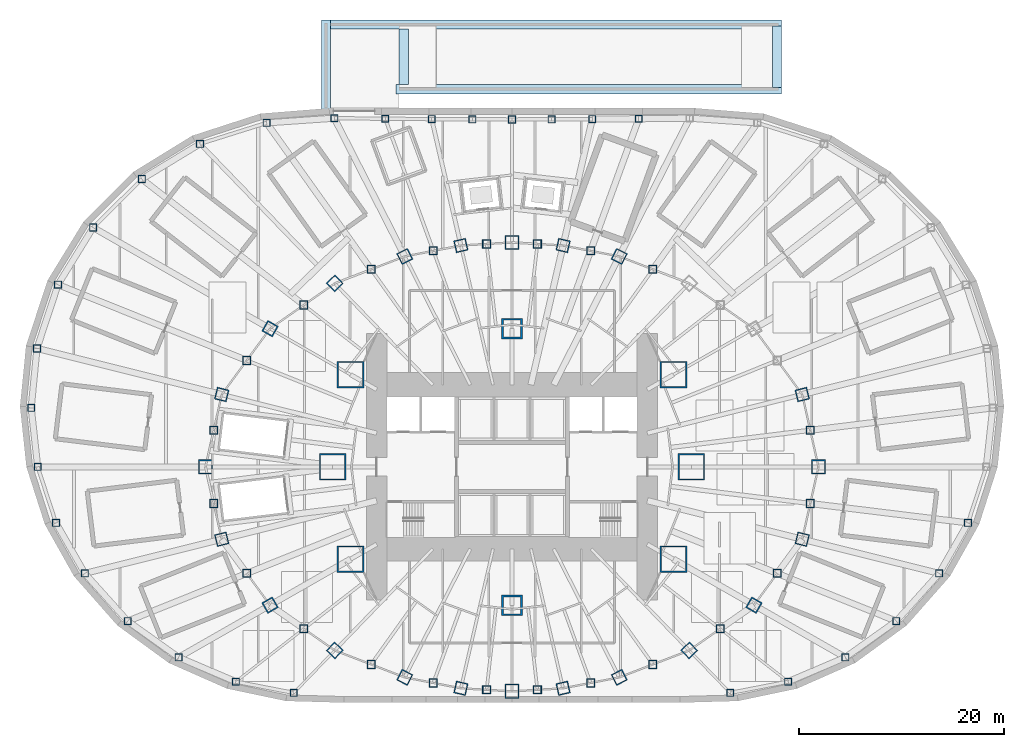
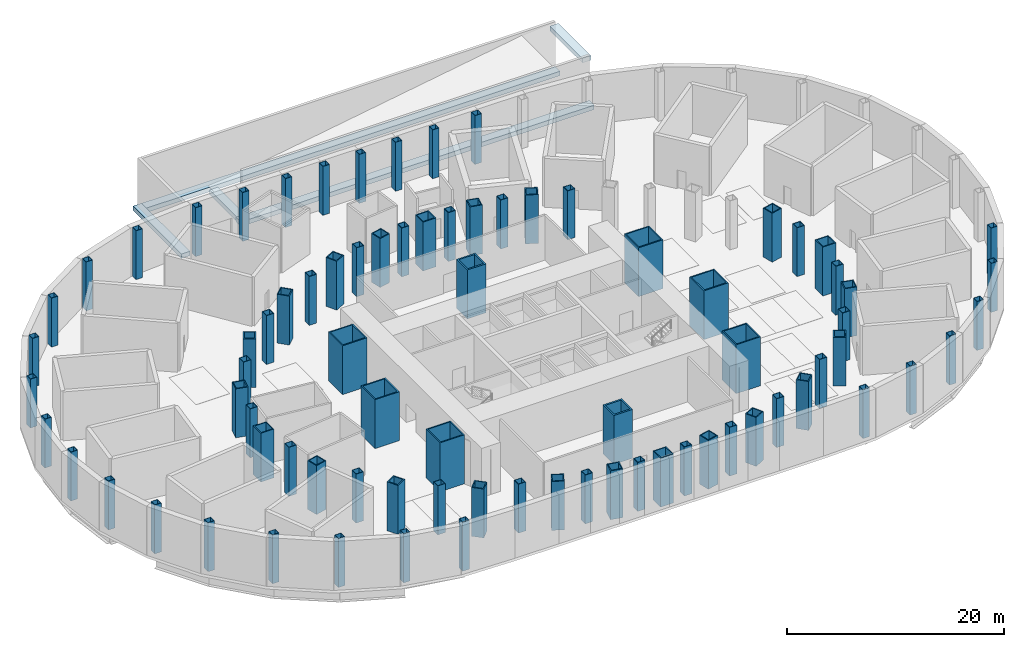
# One storey, part 1 of 19: 80 columns, 5 footings.
"""IFC4 building model written with IfcOpenShell, lengths in metres."""

from ifc_helpers import new_model, si_unit, direction, frame, origin, origin_2d, place, context, subcontext, project, spatial, polyline, rectangle, hollow_rectangle, outline, extrude, material, material_profile, profile_set, type_object, element, save


model = new_model("IFC4")

# Units and contexts
model_context = context("Model", 3, precision=1e-05, world=origin(), true_north=direction((0.0, 1.0)))
body_context = subcontext(model_context, "Body", "Model", "MODEL_VIEW")
ifc_project = project(units=[si_unit("LENGTHUNIT", "METRE"), si_unit("AREAUNIT", "SQUARE_METRE"), si_unit("VOLUMEUNIT", "CUBIC_METRE"), si_unit("PLANEANGLEUNIT", "RADIAN"), si_unit("MASSUNIT", "GRAM", prefix="KILO")], contexts=[model_context])

# Site, building, storey
site_placement = place(None, origin())
site = spatial("IfcSite", under=ifc_project, at=site_placement, CompositionType="ELEMENT")
building_placement = place(site_placement, origin())
building = spatial("IfcBuilding", under=site, at=building_placement, Name="Lantaw Convention Tower", CompositionType="ELEMENT")
storey_placement = place(building_placement, frame((0.0, 0.0, -5.5)))
storey = spatial("IfcBuildingStorey", under=building, at=storey_placement, Name="B1", CompositionType="ELEMENT", Elevation=-5.5)

# Footings
ifc_material_1 = material(Name="Concrete C40/50", Category="concrete")
footing_type = type_object("IfcFootingType", Name="Ramp wall strip footing 900x500", PredefinedType="STRIP_FOOTING", material=ifc_material_1)
footing_1_placement = place(storey_placement, frame((0.0, 0.0, -0.5)))
element("IfcFooting", 1, at=footing_1_placement, inside=storey, type_object=footing_type, Name="Ramp wall strip footing", PredefinedType="STRIP_FOOTING", context=body_context, shape_type="SweptSolid", body=[
    extrude(outline(polyline([(-11.300048828125, 37.300048828125), (-11.300048828125, 36.39990234375), (26.300048828125, 36.39990234375), (26.300048828125, 37.300048828125), (-11.300048828125, 37.300048828125)])), origin(), (0.0, 0.0, 1.0), 0.5),
])
footing_2_placement = place(storey_placement, frame((0.0, 0.0, -0.5)))
element("IfcFooting", 2, at=footing_2_placement, inside=storey, type_object=footing_type, Name="Ramp wall strip footing", PredefinedType="STRIP_FOOTING", context=body_context, shape_type="SweptSolid", body=[
    extrude(outline(polyline([(26.300048828125, 42.699951171875), (26.300048828125, 43.60009765625), (-18.449951171875, 43.60009765625), (-18.449951171875, 42.699951171875), (26.300048828125, 42.699951171875)])), origin(), (0.0, 0.0, 1.0), 0.5),
])
footing_3_placement = place(storey_placement, frame((0.0, 0.0, -0.5)))
element("IfcFooting", 3, at=footing_3_placement, inside=storey, type_object=footing_type, Name="Ramp wall strip footing", PredefinedType="STRIP_FOOTING", context=body_context, shape_type="SweptSolid", body=[
    extrude(outline(polyline([(-17.699951171875, 43.60009765625), (-18.60009765625, 43.60009765625), (-18.60009765625, 34.699951171875), (-17.699951171875, 34.699951171875), (-17.699951171875, 43.60009765625)])), origin(), (0.0, 0.0, 1.0), 0.5),
])
footing_4_placement = place(storey_placement, frame((0.0, 0.0, 4.700439453125)))
element("IfcFooting", 4, at=footing_4_placement, inside=storey, type_object=footing_type, Name="Ramp head strip footing", PredefinedType="STRIP_FOOTING", context=body_context, shape_type="SweptSolid", body=[
    extrude(outline(polyline([(25.39990234375, 37.0), (26.300048828125, 37.0), (26.300048828125, 43.0), (25.39990234375, 43.0), (25.39990234375, 37.0)])), origin(), (0.0, 0.0, 1.0), 0.5),
])
footing_5_placement = place(storey_placement, frame((0.0, 0.0, -0.799560546875)))
element("IfcFooting", 5, at=footing_5_placement, inside=storey, type_object=footing_type, Name="Ramp toe strip footing", PredefinedType="STRIP_FOOTING", context=body_context, shape_type="SweptSolid", body=[
    extrude(outline(polyline([(-11.0, 37.300048828125), (-10.10009765625, 37.300048828125), (-10.10009765625, 42.699951171875), (-11.0, 42.699951171875), (-11.0, 37.300048828125)])), origin(), (0.0, 0.0, 1.0), 0.5),
])

# Columns
ifc_material_2 = material(Name="Steel EN 10025-3 S460N", Category="steel")
ifc_material_profile_1 = material_profile(ifc_material_2, hollow_rectangle(XDim=2.0, YDim=2.0, WallThickness=0.169921875, at=origin_2d()), Name="BOX2000X170")
ifc_material_3 = material(Name="Concrete C60/75", Category="concrete")
ifc_material_profile_2 = material_profile(ifc_material_3, rectangle(XDim=1.659912109375, YDim=1.659912109375, at=origin_2d()), Name="Concrete fill of BOX2000X170")
ifc_profile_set_1 = profile_set([ifc_material_profile_1, ifc_material_profile_2], Name="Steel EN 10025-3 S460N")
column_type_1 = type_object("IfcColumnType", Name="Column MC BOX2000X170", PredefinedType="COLUMN", material=ifc_profile_set_1)
for number, where, z_axis, x_axis, name in (
    (6, (0.0, 13.5, 0.0), (0.0, 0.0, 1.0), (1.0, 0.0, 0.0), "Mega column M3"),
    (7, (0.0, -13.5, 0.0), (0.0, 0.0, 1.0), (1.0, 0.0, 0.0), "Mega column M7"),
):
    element("IfcColumn", number, at=place(storey_placement, frame(where, z_axis=z_axis, x_axis=x_axis)), inside=storey, type_object=column_type_1, Name=name, PredefinedType="COLUMN", context=body_context, shape_type="SweptSolid", body=[
        extrude(hollow_rectangle(XDim=2.0, YDim=2.0, WallThickness=0.169921875, at=origin_2d()), origin(), (0.0, 0.0, 1.0), 5.5),
    ])
ifc_material_profile_3 = material_profile(ifc_material_2, hollow_rectangle(XDim=2.60009765625, YDim=2.60009765625, WallThickness=0.1298828125, at=origin_2d()), Name="BOX2600X130")
ifc_material_profile_4 = material_profile(ifc_material_3, rectangle(XDim=2.340087890625, YDim=2.340087890625, at=origin_2d()), Name="Concrete fill of BOX2600X130")
ifc_profile_set_2 = profile_set([ifc_material_profile_3, ifc_material_profile_4], Name="Steel EN 10025-3 S460N")
column_type_2 = type_object("IfcColumnType", Name="Column MC BOX2600X130", PredefinedType="COLUMN", material=ifc_profile_set_2)
for number, where, z_axis, x_axis, name in (
    (8, (17.5, 0.0, 0.0), (0.0, 0.0, 1.0), (1.0, 0.0, 0.0), "Mega column M1"),
    (9, (15.75, 9.0, 0.0), (0.0, 0.0, 1.0), (1.0, 0.0, 0.0), "Mega column M2"),
    (10, (-15.75, 9.0, 0.0), (0.0, 0.0, 1.0), (1.0, 0.0, 0.0), "Mega column M4"),
    (11, (-17.5, 0.0, 0.0), (0.0, 0.0, 1.0), (1.0, 0.0, 0.0), "Mega column M5"),
    (12, (-15.75, -9.0, 0.0), (0.0, 0.0, 1.0), (1.0, 0.0, 0.0), "Mega column M6"),
    (13, (15.75, -9.0, 0.0), (0.0, 0.0, 1.0), (1.0, 0.0, 0.0), "Mega column M8"),
):
    element("IfcColumn", number, at=place(storey_placement, frame(where, z_axis=z_axis, x_axis=x_axis)), inside=storey, type_object=column_type_2, Name=name, PredefinedType="COLUMN", context=body_context, shape_type="SweptSolid", body=[
        extrude(hollow_rectangle(XDim=2.60009765625, YDim=2.60009765625, WallThickness=0.1298828125, at=origin_2d()), origin(), (0.0, 0.0, 1.0), 5.5),
    ])
ifc_material_profile_5 = material_profile(ifc_material_2, hollow_rectangle(XDim=1.199951171875, YDim=1.199951171875, WallThickness=0.10009765625, at=origin_2d()), Name="BOX1200X100")
ifc_material_profile_6 = material_profile(ifc_material_3, rectangle(XDim=1.0, YDim=1.0, at=origin_2d()), Name="Concrete fill of BOX1200X100")
ifc_profile_set_3 = profile_set([ifc_material_profile_5, ifc_material_profile_6], Name="Steel EN 10025-3 S460N")
column_type_3 = type_object("IfcColumnType", Name="Column PC BOX1200X100", PredefinedType="COLUMN", material=ifc_profile_set_3)
for number, where, z_axis, x_axis, name in (
    (14, (28.31787109375, 7.060302734375, 0.0), (0.0, 0.0, 1.0), (0.970295726276, 0.2419218956, 0.0), "Perimeter column P2"),
    (15, (10.462646484375, 20.533935546875, 0.0), (0.0, 0.0, 1.0), (0.45399049974, 0.891006524188, 0.0), "Perimeter column P5"),
    (16, (4.986328125, 21.59814453125, 0.0), (0.0, 0.0, 1.0), (0.224951054344, 0.974370064785, 0.0), "Perimeter column P6"),
    (17, (-4.986328125, 21.59814453125, 0.0), (0.0, 0.0, 1.0), (0.974370064785, 0.224951054344, 0.0), "Perimeter column P8"),
    (18, (-10.462646484375, 20.533935546875, 0.0), (0.0, 0.0, 1.0), (0.891006524188, 0.45399049974, 0.0), "Perimeter column P9"),
    (19, (-17.290771484375, 17.9052734375, 0.0), (0.0, 0.0, 1.0), (0.719339800339, 0.694658370459, 0.0), "Perimeter column P10"),
    (20, (-28.31787109375, 7.060302734375, 0.0), (0.0, 0.0, 1.0), (0.2419218956, 0.970295726276, 0.0), "Perimeter column P12"),
    (21, (-28.31787109375, -7.060302734375, 0.0), (0.0, 0.0, 1.0), (0.970295726276, 0.2419218956, 0.0), "Perimeter column P14"),
    (22, (-17.290771484375, -17.9052734375, 0.0), (0.0, 0.0, 1.0), (0.694658370459, 0.719339800339, 0.0), "Perimeter column P16"),
    (23, (-10.462646484375, -20.533935546875, 0.0), (0.0, 0.0, 1.0), (0.45399049974, 0.891006524188, 0.0), "Perimeter column P17"),
    (24, (-4.986328125, -21.59814453125, 0.0), (0.0, 0.0, 1.0), (0.224951054344, 0.974370064785, 0.0), "Perimeter column P18"),
    (25, (4.986328125, -21.59814453125, 0.0), (0.0, 0.0, 1.0), (0.974370064785, 0.224951054344, 0.0), "Perimeter column P20"),
    (26, (10.462646484375, -20.533935546875, 0.0), (0.0, 0.0, 1.0), (0.891006524188, 0.45399049974, 0.0), "Perimeter column P21"),
    (27, (17.290771484375, -17.9052734375, 0.0), (0.0, 0.0, 1.0), (0.719339800339, 0.694658370459, 0.0), "Perimeter column P22"),
    (28, (28.31787109375, -7.060302734375, 0.0), (0.0, 0.0, 1.0), (0.2419218956, 0.970295726276, 0.0), "Perimeter column P24"),
):
    element("IfcColumn", number, at=place(storey_placement, frame(where, z_axis=z_axis, x_axis=x_axis)), inside=storey, type_object=column_type_3, Name=name, PredefinedType="COLUMN", context=body_context, shape_type="SweptSolid", body=[
        extrude(hollow_rectangle(XDim=1.199951171875, YDim=1.199951171875, WallThickness=0.10009765625, at=origin_2d()), origin(), (0.0, 0.0, 1.0), 5.5),
    ])
ifc_material_profile_7 = material_profile(ifc_material_2, hollow_rectangle(XDim=1.199951171875, YDim=1.199951171875, WallThickness=0.1201171875, at=origin_2d()), Name="BOX1200X120")
ifc_material_profile_8 = material_profile(ifc_material_3, rectangle(XDim=0.9599609375, YDim=0.9599609375, at=origin_2d()), Name="Concrete fill of BOX1200X120")
ifc_profile_set_4 = profile_set([ifc_material_profile_7, ifc_material_profile_8], Name="Steel EN 10025-3 S460N")
column_type_4 = type_object("IfcColumnType", Name="Column PC BOX1200X120", PredefinedType="COLUMN", material=ifc_profile_set_4)
for number, where, z_axis, x_axis, name in (
    (29, (-23.60498046875, 13.488525390625, 0.0), (0.0, 0.0, 1.0), (0.496139221777, 0.86824298017, 0.0), "Perimeter column P11"),
    (30, (-23.60498046875, -13.488525390625, 0.0), (0.0, 0.0, 1.0), (0.86824298017, 0.496139221777, 0.0), "Perimeter column P15"),
    (31, (23.60498046875, -13.488525390625, 0.0), (0.0, 0.0, 1.0), (0.496139221777, 0.86824298017, 0.0), "Perimeter column P23"),
):
    element("IfcColumn", number, at=place(storey_placement, frame(where, z_axis=z_axis, x_axis=x_axis)), inside=storey, type_object=column_type_4, Name=name, PredefinedType="COLUMN", context=body_context, shape_type="SweptSolid", body=[
        extrude(hollow_rectangle(XDim=1.199951171875, YDim=1.199951171875, WallThickness=0.1201171875, at=origin_2d()), origin(), (0.0, 0.0, 1.0), 5.5),
    ])
ifc_material_profile_9 = material_profile(ifc_material_2, hollow_rectangle(XDim=1.39990234375, YDim=1.39990234375, WallThickness=0.10009765625, at=origin_2d()), Name="BOX1400X100")
ifc_material_profile_10 = material_profile(ifc_material_3, rectangle(XDim=1.199951171875, YDim=1.199951171875, at=origin_2d()), Name="Concrete fill of BOX1400X100")
ifc_profile_set_5 = profile_set([ifc_material_profile_9, ifc_material_profile_10], Name="Steel EN 10025-3 S460N")
column_type_5 = type_object("IfcColumnType", Name="Column PC BOX1400X100", PredefinedType="COLUMN", material=ifc_profile_set_5)
for number, where, z_axis, x_axis, name in (
    (32, (29.89990234375, 0.0, 0.0), (0.0, 0.0, 1.0), (1.0, 0.0, 0.0), "Perimeter column P1"),
    (33, (0.0, 21.89990234375, 0.0), (0.0, 0.0, 1.0), (1.0, 0.0, 0.0), "Perimeter column P7"),
    (34, (-29.89990234375, 0.0, 0.0), (0.0, 0.0, 1.0), (1.0, 0.0, 0.0), "Perimeter column P13"),
    (35, (0.0, -21.89990234375, 0.0), (0.0, 0.0, 1.0), (1.0, 0.0, 0.0), "Perimeter column P19"),
):
    element("IfcColumn", number, at=place(storey_placement, frame(where, z_axis=z_axis, x_axis=x_axis)), inside=storey, type_object=column_type_5, Name=name, PredefinedType="COLUMN", context=body_context, shape_type="SweptSolid", body=[
        extrude(hollow_rectangle(XDim=1.39990234375, YDim=1.39990234375, WallThickness=0.10009765625, at=origin_2d()), origin(), (0.0, 0.0, 1.0), 5.5),
    ])
ifc_material_4 = material(Name="Steel ASTM A572 Grade 50", Category="steel")
ifc_material_profile_11 = material_profile(ifc_material_4, hollow_rectangle(XDim=0.800048828125, YDim=0.800048828125, WallThickness=0.050048828125, at=origin_2d()), Name="BOX800X50")
ifc_profile_set_6 = profile_set([ifc_material_profile_11], Name="Steel ASTM A572 Grade 50")
column_type_6 = type_object("IfcColumnType", Name="Column QC BOX800X50", PredefinedType="COLUMN", material=ifc_profile_set_6)
for number, where, z_axis, x_axis, name in (
    (36, (29.099365234375, 3.572998046875, 0.0), (0.0, 0.0, 1.0), (1.0, 0.0, 0.0), "Podium ring column Q1"),
    (37, (13.745361328125, 19.270263671875, 0.0), (0.0, 0.0, 1.0), (1.0, 0.0, 0.0), "Podium ring column Q4"),
    (38, (7.671142578125, 21.076416015625, 0.0), (0.0, 0.0, 1.0), (1.0, 0.0, 0.0), "Podium ring column Q5"),
    (39, (2.47802734375, 21.75, 0.0), (0.0, 0.0, 1.0), (1.0, 0.0, 0.0), "Podium ring column Q6"),
    (40, (-2.47802734375, 21.75, 0.0), (0.0, 0.0, 1.0), (1.0, 0.0, 0.0), "Podium ring column Q7"),
    (41, (-7.671142578125, 21.076416015625, 0.0), (0.0, 0.0, 1.0), (1.0, 0.0, 0.0), "Podium ring column Q8"),
    (42, (-13.745361328125, 19.270263671875, 0.0), (0.0, 0.0, 1.0), (1.0, 0.0, 0.0), "Podium ring column Q9"),
    (43, (-20.30859375, 15.794189453125, 0.0), (0.0, 0.0, 1.0), (1.0, 0.0, 0.0), "Podium ring column Q10"),
    (44, (-25.8779296875, 10.388427734375, 0.0), (0.0, 0.0, 1.0), (1.0, 0.0, 0.0), "Podium ring column Q11"),
    (45, (-29.099365234375, 3.572998046875, 0.0), (0.0, 0.0, 1.0), (1.0, 0.0, 0.0), "Podium ring column Q12"),
    (46, (-29.099365234375, -3.572998046875, 0.0), (0.0, 0.0, 1.0), (1.0, 0.0, 0.0), "Podium ring column Q13"),
    (47, (-25.8779296875, -10.388427734375, 0.0), (0.0, 0.0, 1.0), (1.0, 0.0, 0.0), "Podium ring column Q14"),
    (48, (-20.30859375, -15.794189453125, 0.0), (0.0, 0.0, 1.0), (1.0, 0.0, 0.0), "Podium ring column Q15"),
    (49, (-13.745361328125, -19.270263671875, 0.0), (0.0, 0.0, 1.0), (1.0, 0.0, 0.0), "Podium ring column Q16"),
    (50, (-7.671142578125, -21.076416015625, 0.0), (0.0, 0.0, 1.0), (1.0, 0.0, 0.0), "Podium ring column Q17"),
    (51, (-2.47802734375, -21.75, 0.0), (0.0, 0.0, 1.0), (1.0, 0.0, 0.0), "Podium ring column Q18"),
    (52, (2.47802734375, -21.75, 0.0), (0.0, 0.0, 1.0), (1.0, 0.0, 0.0), "Podium ring column Q19"),
    (53, (7.671142578125, -21.076416015625, 0.0), (0.0, 0.0, 1.0), (1.0, 0.0, 0.0), "Podium ring column Q20"),
    (54, (13.745361328125, -19.270263671875, 0.0), (0.0, 0.0, 1.0), (1.0, 0.0, 0.0), "Podium ring column Q21"),
    (55, (20.308837890625, -15.794189453125, 0.0), (0.0, 0.0, 1.0), (1.0, 0.0, 0.0), "Podium ring column Q22"),
    (56, (25.8779296875, -10.388427734375, 0.0), (0.0, 0.0, 1.0), (1.0, 0.0, 0.0), "Podium ring column Q23"),
    (57, (29.099365234375, -3.572998046875, 0.0), (0.0, 0.0, 1.0), (1.0, 0.0, 0.0), "Podium ring column Q24"),
):
    element("IfcColumn", number, at=place(storey_placement, frame(where, z_axis=z_axis, x_axis=x_axis)), inside=storey, type_object=column_type_6, Name=name, PredefinedType="COLUMN", context=body_context, shape_type="SweptSolid", body=[
        extrude(hollow_rectangle(XDim=0.800048828125, YDim=0.800048828125, WallThickness=0.050048828125, at=origin_2d()), origin(), (0.0, 0.0, 1.0), 5.5),
    ])
ifc_material_profile_12 = material_profile(ifc_material_4, hollow_rectangle(XDim=0.699951171875, YDim=0.699951171875, WallThickness=0.0400390625, at=origin_2d()), Name="BOX700X40")
ifc_profile_set_7 = profile_set([ifc_material_profile_12], Name="Steel ASTM A572 Grade 50")
column_type_7 = type_object("IfcColumnType", Name="Column RC BOX700X40", PredefinedType="COLUMN", material=ifc_profile_set_7)
for number, where, z_axis, x_axis, name in (
    (58, (12.36279296875, 33.96630859375, 0.0), (0.0, 0.0, 1.0), (1.0, 0.0, 0.0), "Podium column B04"),
    (59, (3.86328125, 33.906982421875, 0.0), (0.0, 0.0, 1.0), (1.0, 0.0, 0.0), "Podium column B05"),
    (60, (-3.86328125, 33.906982421875, 0.0), (0.0, 0.0, 1.0), (1.0, 0.0, 0.0), "Podium column B06"),
    (61, (-12.36279296875, 33.96630859375, 0.0), (0.0, 0.0, 1.0), (1.0, 0.0, 0.0), "Podium column B07"),
    (62, (-23.940185546875, 33.562744140625, 0.0), (0.0, 0.0, 1.0), (1.0, 0.0, 0.0), "Podium column B08"),
    (63, (-36.107666015625, 28.081298828125, 0.0), (0.0, 0.0, 1.0), (1.0, 0.0, 0.0), "Podium column B09"),
    (64, (-44.29248046875, 17.78076171875, 0.0), (0.0, 0.0, 1.0), (1.0, 0.0, 0.0), "Podium column B10"),
    (65, (-46.907958984375, 5.759521484375, 0.0), (0.0, 0.0, 1.0), (1.0, 0.0, 0.0), "Podium column B11"),
    (66, (-44.488525390625, -5.46240234375, 0.0), (0.0, 0.0, 1.0), (1.0, 0.0, 0.0), "Podium column B12"),
    (67, (-37.486572265625, -15.048583984375, 0.0), (0.0, 0.0, 1.0), (1.0, 0.0, 0.0), "Podium column B13"),
    (68, (-26.94287109375, -20.95361328125, 0.0), (0.0, 0.0, 1.0), (1.0, 0.0, 0.0), "Podium column B14"),
    (69, (26.94287109375, -20.95361328125, 0.0), (0.0, 0.0, 1.0), (1.0, 0.0, 0.0), "Podium column B21"),
    (70, (37.486572265625, -15.048583984375, 0.0), (0.0, 0.0, 1.0), (1.0, 0.0, 0.0), "Podium column B22"),
    (71, (44.488525390625, -5.46240234375, 0.0), (0.0, 0.0, 1.0), (1.0, 0.0, 0.0), "Podium column B23"),
    (72, (7.8330078125, 33.92822265625, 0.0), (0.0, 0.0, 1.0), (1.0, 0.0, 0.0), "Podium column R05"),
    (73, (0.0, 33.89990234375, 0.0), (0.0, 0.0, 1.0), (1.0, 0.0, 0.0), "Podium column R06"),
    (74, (-7.8330078125, 33.92822265625, 0.0), (0.0, 0.0, 1.0), (1.0, 0.0, 0.0), "Podium column R07"),
    (75, (-17.333984375, 34.019775390625, 0.0), (0.0, 0.0, 1.0), (1.0, 0.0, 0.0), "Podium column R08"),
    (76, (-30.43603515625, 31.517578125, 0.0), (0.0, 0.0, 1.0), (1.0, 0.0, 0.0), "Podium column R09"),
    (77, (-40.864013671875, 23.350830078125, 0.0), (0.0, 0.0, 1.0), (1.0, 0.0, 0.0), "Podium column R10"),
    (78, (-46.342529296875, 11.554443359375, 0.0), (0.0, 0.0, 1.0), (1.0, 0.0, 0.0), "Podium column R11"),
    (79, (-46.2724609375, 0.0, 0.0), (0.0, 0.0, 1.0), (1.0, 0.0, 0.0), "Podium column R12"),
    (80, (-41.67236328125, -10.39013671875, 0.0), (0.0, 0.0, 1.0), (1.0, 0.0, 0.0), "Podium column R13"),
    (81, (-32.5205078125, -18.5830078125, 0.0), (0.0, 0.0, 1.0), (1.0, 0.0, 0.0), "Podium column R14"),
    (82, (-21.290771484375, -22.04736328125, 0.0), (0.0, 0.0, 1.0), (1.0, 0.0, 0.0), "Podium column R15"),
    (83, (21.290771484375, -22.04736328125, 0.0), (0.0, 0.0, 1.0), (1.0, 0.0, 0.0), "Podium column R21"),
    (84, (32.5205078125, -18.5830078125, 0.0), (0.0, 0.0, 1.0), (1.0, 0.0, 0.0), "Podium column R22"),
    (85, (41.67236328125, -10.39013671875, 0.0), (0.0, 0.0, 1.0), (1.0, 0.0, 0.0), "Podium column R23"),
):
    element("IfcColumn", number, at=place(storey_placement, frame(where, z_axis=z_axis, x_axis=x_axis)), inside=storey, type_object=column_type_7, Name=name, PredefinedType="COLUMN", context=body_context, shape_type="SweptSolid", body=[
        extrude(hollow_rectangle(XDim=0.699951171875, YDim=0.699951171875, WallThickness=0.0400390625, at=origin_2d()), origin(), (0.0, 0.0, 1.0), 5.5),
    ])

save(model, "model.ifc")
